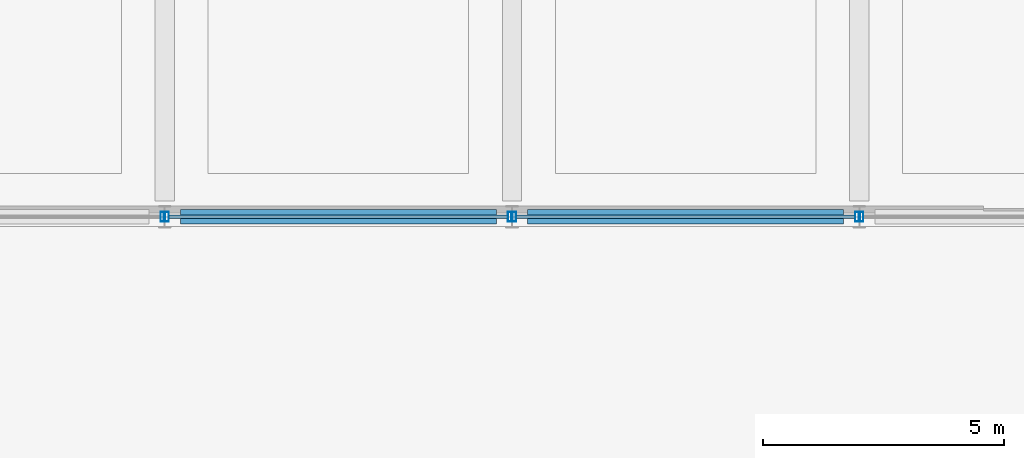
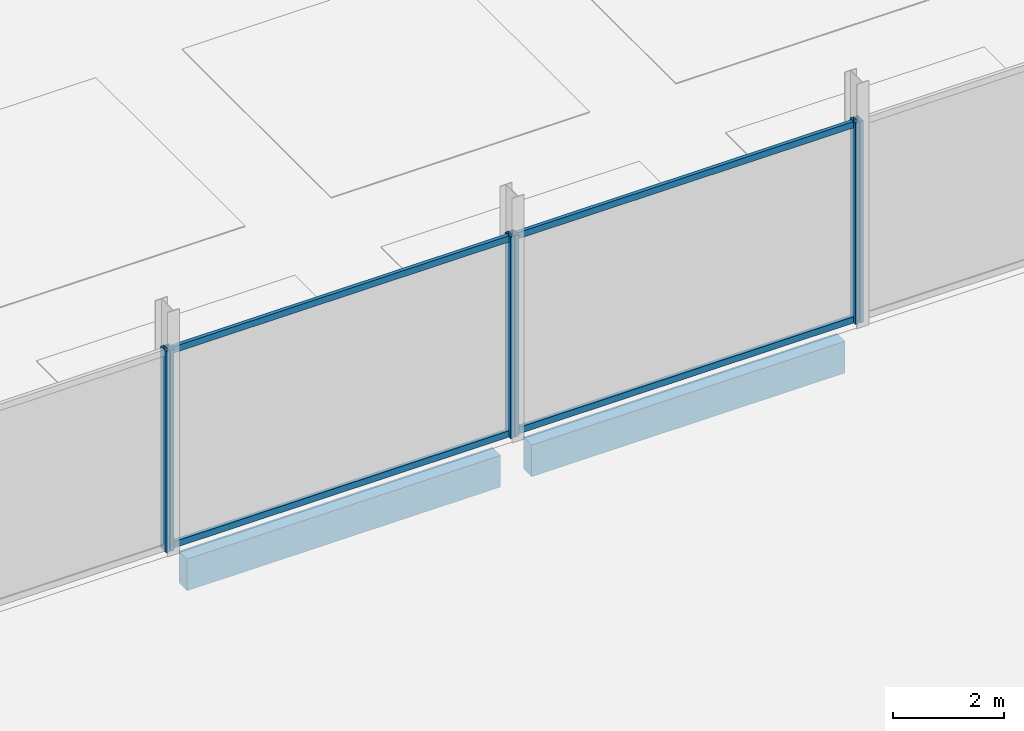
# One storey, part 23 of 90: 10 members, 2 beams, 4 elements without a shape of their own.
"""IFC4 building model written with IfcOpenShell, lengths in metres."""

from ifc_helpers import new_model, si_unit, direction, frame, origin, origin_2d, place, context, subcontext, project, spatial, rectangle, hollow_rectangle, extrude, material, layer, layer_set, material_profile, profile_set, type_object, element, aggregate, save


model = new_model("IFC4")

# Units and contexts
model_context = context("Model", 3, precision=1e-05, world=origin(), true_north=direction((0.0, 1.0)))
body_context = subcontext(model_context, "Body", "Model", "MODEL_VIEW")
ifc_project = project(units=[si_unit("LENGTHUNIT", "METRE"), si_unit("AREAUNIT", "SQUARE_METRE"), si_unit("VOLUMEUNIT", "CUBIC_METRE"), si_unit("PLANEANGLEUNIT", "RADIAN"), si_unit("MASSUNIT", "GRAM", prefix="KILO")], contexts=[model_context])

# Site, building, storey
site_placement = place(None, origin())
site = spatial("IfcSite", under=ifc_project, at=site_placement, CompositionType="ELEMENT")
building_placement = place(site_placement, origin())
building = spatial("IfcBuilding", under=site, at=building_placement, Name="Kangsadwip Square Police Headquarters", CompositionType="ELEMENT")
storey_placement = place(building_placement, origin())
storey = spatial("IfcBuildingStorey", under=building, at=storey_placement, Name="L00", CompositionType="ELEMENT", Elevation=0.0)

# Curtain wall, member
ifc_material_1 = material(Name="Thermally broken anodised aluminium AW-6063-T6", Category="aluminium")
ifc_layer = layer(ifc_material_1, 0.159912109375)
ifc_layer_set = layer_set([ifc_layer], Name="Thermally broken anodised aluminium AW-6063-T6")
curtain_wall_type = type_object("IfcCurtainWallType", Name="CourtScreen7180x4450", PredefinedType="USERDEFINED", material=ifc_layer_set)
curtain_wall_1_placement = place(storey_placement, origin())
curtain_wall_1 = element("IfcCurtainWall", 1, at=curtain_wall_1_placement, inside=storey, type_object=curtain_wall_type, Name="Curtain Wall CW-L00-0576-0864", ObjectType="GLAZED_SCREEN", PredefinedType="USERDEFINED")
ifc_material_2 = material(Name="Thermally broken anodised aluminium AW-6063-T6", Category="aluminium")
ifc_material_profile_1 = material_profile(ifc_material_2, hollow_rectangle(XDim=0.074951171875, YDim=0.199951171875, WallThickness=0.0048828125, at=origin_2d()), Name="CWM 200X75X5")
ifc_profile_set_1 = profile_set([ifc_material_profile_1], Name="Thermally broken anodised aluminium AW-6063-T6")
member_type_1 = type_object("IfcMemberType", Name="CwMullion180x75", PredefinedType="MULLION", material=ifc_profile_set_1)
member_1_placement = place(storey_placement, frame((64.75244140625, 86.39990234375, 0.0), z_axis=(0.0, 0.0, 1.0), x_axis=(1.0, 0.0, 0.0)))
member_1 = element("IfcMember", 2, at=member_1_placement, type_object=member_type_1, Name="CW-02 mullion 2", PredefinedType="MULLION", context=body_context, shape_type="SweptSolid", body=[
    extrude(hollow_rectangle(XDim=0.074951171875, YDim=0.199951171875, WallThickness=0.0048828125, at=origin_2d()), origin(), (0.0, 0.0, 1.0), 4.449951171875),
])
aggregate(curtain_wall_1, [member_1])

# Curtain wall, members
curtain_wall_2_placement = place(storey_placement, origin())
curtain_wall_2 = element("IfcCurtainWall", 3, at=curtain_wall_2_placement, inside=storey, type_object=curtain_wall_type, Name="Curtain Wall CW-L00-0648-0864", ObjectType="GLAZED_SCREEN", PredefinedType="USERDEFINED")
member_2_placement = place(storey_placement, frame((64.847412109375, 86.39990234375, 0.0), z_axis=(0.0, 0.0, 1.0), x_axis=(1.0, 0.0, 0.0)))
member_2 = element("IfcMember", 4, at=member_2_placement, type_object=member_type_1, Name="CW-02 mullion 1", PredefinedType="MULLION", context=body_context, shape_type="SweptSolid", body=[
    extrude(hollow_rectangle(XDim=0.074951171875, YDim=0.199951171875, WallThickness=0.0048828125, at=origin_2d()), origin(), (0.0, 0.0, 1.0), 4.449951171875),
])
member_3_placement = place(storey_placement, frame((71.952392578125, 86.39990234375, 0.0), z_axis=(0.0, 0.0, 1.0), x_axis=(1.0, 0.0, 0.0)))
member_3 = element("IfcMember", 5, at=member_3_placement, type_object=member_type_1, Name="CW-02 mullion 2", PredefinedType="MULLION", context=body_context, shape_type="SweptSolid", body=[
    extrude(hollow_rectangle(XDim=0.074951171875, YDim=0.199951171875, WallThickness=0.0048828125, at=origin_2d()), origin(), (0.0, 0.0, 1.0), 4.449951171875),
])

curtain_wall_3_placement = place(storey_placement, origin())
curtain_wall_3 = element("IfcCurtainWall", 6, at=curtain_wall_3_placement, inside=storey, type_object=curtain_wall_type, Name="Curtain Wall CW-L00-0720-0864", ObjectType="GLAZED_SCREEN", PredefinedType="USERDEFINED")
member_4_placement = place(storey_placement, frame((72.047607421875, 86.39990234375, 0.0), z_axis=(0.0, 0.0, 1.0), x_axis=(1.0, 0.0, 0.0)))
member_4 = element("IfcMember", 7, at=member_4_placement, type_object=member_type_1, Name="CW-02 mullion 1", PredefinedType="MULLION", context=body_context, shape_type="SweptSolid", body=[
    extrude(hollow_rectangle(XDim=0.074951171875, YDim=0.199951171875, WallThickness=0.0048828125, at=origin_2d()), origin(), (0.0, 0.0, 1.0), 4.449951171875),
])
member_5_placement = place(storey_placement, frame((79.152587890625, 86.39990234375, 0.0), z_axis=(0.0, 0.0, 1.0), x_axis=(1.0, 0.0, 0.0)))
member_5 = element("IfcMember", 8, at=member_5_placement, type_object=member_type_1, Name="CW-02 mullion 2", PredefinedType="MULLION", context=body_context, shape_type="SweptSolid", body=[
    extrude(hollow_rectangle(XDim=0.074951171875, YDim=0.199951171875, WallThickness=0.0048828125, at=origin_2d()), origin(), (0.0, 0.0, 1.0), 4.449951171875),
])

# Curtain wall, member
curtain_wall_4_placement = place(storey_placement, origin())
curtain_wall_4 = element("IfcCurtainWall", 9, at=curtain_wall_4_placement, inside=storey, type_object=curtain_wall_type, Name="Curtain Wall CW-L00-0792-0864", ObjectType="GLAZED_SCREEN", PredefinedType="USERDEFINED")
member_6_placement = place(storey_placement, frame((79.24755859375, 86.39990234375, 0.0), z_axis=(0.0, 0.0, 1.0), x_axis=(1.0, 0.0, 0.0)))
member_6 = element("IfcMember", 10, at=member_6_placement, type_object=member_type_1, Name="CW-02 mullion 1", PredefinedType="MULLION", context=body_context, shape_type="SweptSolid", body=[
    extrude(hollow_rectangle(XDim=0.074951171875, YDim=0.199951171875, WallThickness=0.0048828125, at=origin_2d()), origin(), (0.0, 0.0, 1.0), 4.449951171875),
])
aggregate(curtain_wall_4, [member_6])

# Member
ifc_material_3 = material(Name="Thermally broken anodised aluminium AW-6063-T6", Category="aluminium")
ifc_material_profile_2 = material_profile(ifc_material_3, hollow_rectangle(XDim=0.074951171875, YDim=0.139892578125, WallThickness=0.0048828125, at=origin_2d()), Name="CWT 140X75X5")
ifc_profile_set_2 = profile_set([ifc_material_profile_2], Name="Thermally broken anodised aluminium AW-6063-T6")
member_type_2 = type_object("IfcMemberType", Name="CwTransom160x65", PredefinedType="USERDEFINED", material=ifc_profile_set_2)
member_7_placement = place(storey_placement, frame((64.885009765625, 86.39990234375, 0.070068359375), z_axis=(1.0, 0.0, 0.0), x_axis=(0.0, 1.0, 0.0)))
member_7 = element("IfcMember", 11, at=member_7_placement, type_object=member_type_2, Name="CW-02 transom 1.1", ObjectType="TRANSOM", PredefinedType="USERDEFINED", context=body_context, shape_type="SweptSolid", body=[
    extrude(hollow_rectangle(XDim=0.074951171875, YDim=0.139892578125, WallThickness=0.0048828125, at=origin_2d()), origin(), (0.0, 0.0, 1.0), 7.030029296875),
])

member_8_placement = place(storey_placement, frame((64.885009765625, 86.39990234375, 4.3798828125), z_axis=(1.0, 0.0, 0.0), x_axis=(0.0, 1.0, 0.0)))
member_8 = element("IfcMember", 12, at=member_8_placement, type_object=member_type_2, Name="CW-02 transom 1.2", ObjectType="TRANSOM", PredefinedType="USERDEFINED", context=body_context, shape_type="SweptSolid", body=[
    extrude(hollow_rectangle(XDim=0.074951171875, YDim=0.139892578125, WallThickness=0.0048828125, at=origin_2d()), origin(), (0.0, 0.0, 1.0), 7.030029296875),
])

aggregate(curtain_wall_2, [member_2, member_3, member_7, member_8])

member_9_placement = place(storey_placement, frame((72.0849609375, 86.39990234375, 0.070068359375), z_axis=(1.0, 0.0, 0.0), x_axis=(0.0, 1.0, 0.0)))
member_9 = element("IfcMember", 13, at=member_9_placement, type_object=member_type_2, Name="CW-02 transom 1.1", ObjectType="TRANSOM", PredefinedType="USERDEFINED", context=body_context, shape_type="SweptSolid", body=[
    extrude(hollow_rectangle(XDim=0.074951171875, YDim=0.139892578125, WallThickness=0.0048828125, at=origin_2d()), origin(), (0.0, 0.0, 1.0), 7.030029296875),
])

member_10_placement = place(storey_placement, frame((72.0849609375, 86.39990234375, 4.3798828125), z_axis=(1.0, 0.0, 0.0), x_axis=(0.0, 1.0, 0.0)))
member_10 = element("IfcMember", 14, at=member_10_placement, type_object=member_type_2, Name="CW-02 transom 1.2", ObjectType="TRANSOM", PredefinedType="USERDEFINED", context=body_context, shape_type="SweptSolid", body=[
    extrude(hollow_rectangle(XDim=0.074951171875, YDim=0.139892578125, WallThickness=0.0048828125, at=origin_2d()), origin(), (0.0, 0.0, 1.0), 7.030029296875),
])

aggregate(curtain_wall_3, [member_4, member_5, member_9, member_10])

# Beams
ifc_material_4 = material(Name="Concrete M40 (40 MPa)", Category="concrete")
ifc_material_profile_3 = material_profile(ifc_material_4, rectangle(XDim=0.300048828125, YDim=0.699951171875, at=origin_2d()), Name="RC SPN 700X300")
ifc_profile_set_3 = profile_set([ifc_material_profile_3], Name="Concrete M40 (40 MPa)")
beam_type = type_object("IfcBeamType", Name="RcSpandrel700x300", PredefinedType="SPANDREL", material=ifc_profile_set_3)
for number, where, z_axis, x_axis, name in (
    (15, (65.125, 86.39990234375, -0.60009765625), (1.0, 0.0, 0.0), (0.0, 1.0, 0.0), "Beam BM-L00-X-09-12"),
    (16, (72.324951171875, 86.39990234375, -0.60009765625), (1.0, 0.0, 0.0), (0.0, 1.0, 0.0), "Beam BM-L00-X-10-12"),
):
    element("IfcBeam", number, at=place(storey_placement, frame(where, z_axis=z_axis, x_axis=x_axis)), inside=storey, type_object=beam_type, Name=name, PredefinedType="SPANDREL", context=body_context, shape_type="SweptSolid", body=[
        extrude(rectangle(XDim=0.300048828125, YDim=0.699951171875, at=origin_2d()), origin(), (0.0, 0.0, 1.0), 6.550048828125),
    ])

save(model, "model.ifc")
